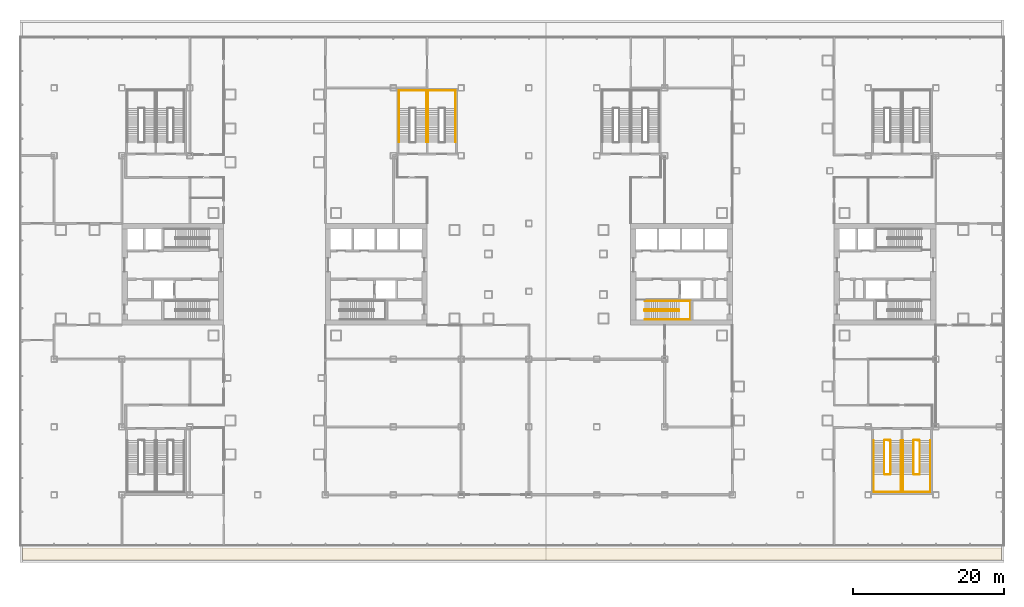
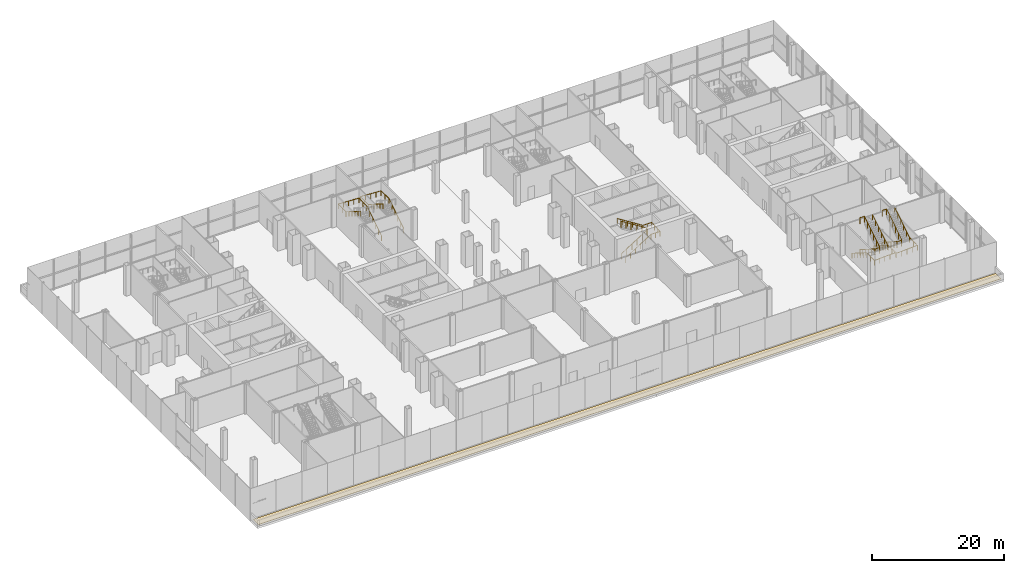
# One storey, part 36 of 38: 8 railings, 1 covering.
"""IFC4 building model written with IfcOpenShell, lengths in metres."""

from ifc_helpers import new_model, si_unit, direction, frame, origin, origin_2d, place, context, subcontext, project, spatial, polyline, circle, outline, extrude, material, layer, layer_set, type_object, element, save


model = new_model("IFC4")

# Units and contexts
model_context = context("Model", 3, precision=1e-05, world=origin(), true_north=direction((0.0, 1.0)))
body_context = subcontext(model_context, "Body", "Model", "MODEL_VIEW")
ifc_project = project(units=[si_unit("LENGTHUNIT", "METRE"), si_unit("AREAUNIT", "SQUARE_METRE"), si_unit("VOLUMEUNIT", "CUBIC_METRE"), si_unit("PLANEANGLEUNIT", "RADIAN"), si_unit("MASSUNIT", "GRAM", prefix="KILO")], contexts=[model_context])

# Site, building, storey
site_placement = place(None, origin())
site = spatial("IfcSite", under=ifc_project, at=site_placement, CompositionType="ELEMENT")
building_placement = place(site_placement, origin())
building = spatial("IfcBuilding", under=site, at=building_placement, Name="Shamsa Quay Exchange Towers", CompositionType="ELEMENT")
storey_placement = place(building_placement, frame((0.0, 0.0, 12.5)))
storey = spatial("IfcBuildingStorey", under=building, at=storey_placement, Name="L02", CompositionType="ELEMENT", Elevation=12.5)

# Covering
ifc_material_1 = material(Name="Bituminous waterproofing membrane with ballast")
ifc_layer = layer(ifc_material_1, 0.06005859375)
ifc_layer_set = layer_set([ifc_layer], Name="ROOF MEMBRANE 60")
covering_type = type_object("IfcCoveringType", Name="ROOF MEMBRANE 60", PredefinedType="ROOFING", material=ifc_layer_set)
covering_placement = place(storey_placement, origin())
element("IfcCovering", 1, at=covering_placement, inside=storey, type_object=covering_type, Name="Roof membrane 1.1", PredefinedType="ROOFING", context=body_context, shape_type="SweptSolid", body=[
    extrude(outline(polyline([(-67.179931640625, -36.320068359375), (62.679931640625, -36.320068359375), (62.679931640625, -37.929931640625), (-67.179931640625, -37.929931640625), (-67.179931640625, -36.320068359375)])), origin(), (0.0, 0.0, 1.0), 0.06005859375),
])

# Railings
ifc_material_2 = material(Name="Stainless steel", Category="steel")
railing_type_1 = type_object("IfcRailingType", Name="STAIR GUARD 1100", PredefinedType="GUARDRAIL", material=ifc_material_2)
railing_1_placement = place(storey_placement, frame((15.39990234375, -4.89990234375, 0.176513671875)))
element("IfcRailing", 2, at=railing_1_placement, inside=storey, type_object=railing_type_1, Name="L02 ST4 stair guard 1", PredefinedType="GUARDRAIL", context=body_context, shape_type="SweptSolid", body=[
    extrude(circle(Radius=0.02392578125, at=origin_2d()), frame((0.0, 0.0, 1.076171875), z_axis=(0.845997938375, 0.0, 0.533186166611), x_axis=(0.0, 1.0, 0.0)), (0.0, 0.0, 1.0), 5.29541015625),
    extrude(circle(Radius=0.02392578125, at=origin_2d()), frame((4.47998046875, 0.0, 3.8994140625), z_axis=(0.708833529934, 0.705375805398, 0.0), x_axis=(-0.705375805398, 0.708833529934, 0.0)), (0.0, 0.0, 1.0), 0.070556640625),
    extrude(circle(Radius=0.02392578125, at=origin_2d()), frame((4.530029296875, 0.0498046875, 3.8994140625), z_axis=(0.0, 1.0, 0.0), x_axis=(-1.0, 0.0, 0.0)), (0.0, 0.0, 1.0), 0.150146484375),
    extrude(circle(Radius=0.02392578125, at=origin_2d()), frame((4.530029296875, 0.199951171875, 3.8994140625), z_axis=(-0.263171338983, 0.263171338983, 0.928160380902), x_axis=(-0.707106781187, -0.707106781187, 0.0)), (0.0, 0.0, 1.0), 0.190185546875),
    extrude(circle(Radius=0.02392578125, at=origin_2d()), frame((4.47998046875, 0.25, 4.076171875), z_axis=(-0.845997938375, 0.0, 0.533186166611), x_axis=(0.0, -1.0, 0.0)), (0.0, 0.0, 1.0), 5.29541015625),
    extrude(circle(Radius=0.02392578125, at=origin_2d()), frame((0.0, 0.25, 6.8994140625), z_axis=(-0.24142163986, -0.970420317083, 0.0), x_axis=(0.970420317083, -0.24142163986, 0.0)), (0.0, 0.0, 1.0), 0.206298828125),
    extrude(circle(Radius=0.02392578125, at=origin_2d()), frame((-0.0498046875, 0.0498046875, 6.8994140625), z_axis=(0.0, 1.0, 0.0), x_axis=(-1.0, 0.0, 0.0)), (0.0, 0.0, 1.0), 0.150146484375),
    extrude(circle(Radius=0.02099609375, at=origin_2d()), origin(), (0.0, 0.0, 1.0), 1.052001953125),
    extrude(circle(Radius=0.02099609375, at=origin_2d()), frame((0.89599609375, 0.0, 0.564697265625)), (0.0, 0.0, 1.0), 1.052001953125),
    extrude(circle(Radius=0.02099609375, at=origin_2d()), frame((1.7919921875, 0.0, 1.12939453125)), (0.0, 0.0, 1.0), 1.052001953125),
    extrude(circle(Radius=0.02099609375, at=origin_2d()), frame((2.68798828125, 0.0, 1.694091796875)), (0.0, 0.0, 1.0), 1.052001953125),
    extrude(circle(Radius=0.02099609375, at=origin_2d()), frame((3.583984375, 0.0, 2.2587890625)), (0.0, 0.0, 1.0), 1.052001953125),
    extrude(circle(Radius=0.02099609375, at=origin_2d()), frame((4.47998046875, 0.0, 2.823486328125)), (0.0, 0.0, 1.0), 1.052001953125),
    extrude(circle(Radius=0.02099609375, at=origin_2d()), frame((4.530029296875, 0.0498046875, 2.823486328125)), (0.0, 0.0, 1.0), 1.052001953125),
    extrude(circle(Radius=0.02099609375, at=origin_2d()), frame((4.530029296875, 0.199951171875, 2.823486328125)), (0.0, 0.0, 1.0), 1.052001953125),
    extrude(circle(Radius=0.02099609375, at=origin_2d()), frame((4.47998046875, 0.25, 3.0)), (0.0, 0.0, 1.0), 1.052001953125),
    extrude(circle(Radius=0.02099609375, at=origin_2d()), frame((3.583984375, 0.25, 3.564697265625)), (0.0, 0.0, 1.0), 1.052001953125),
    extrude(circle(Radius=0.02099609375, at=origin_2d()), frame((2.68798828125, 0.25, 4.12939453125)), (0.0, 0.0, 1.0), 1.052001953125),
    extrude(circle(Radius=0.02099609375, at=origin_2d()), frame((1.7919921875, 0.25, 4.694091796875)), (0.0, 0.0, 1.0), 1.052001953125),
    extrude(circle(Radius=0.02099609375, at=origin_2d()), frame((0.89599609375, 0.25, 5.2587890625)), (0.0, 0.0, 1.0), 1.052001953125),
    extrude(circle(Radius=0.02099609375, at=origin_2d()), frame((0.0, 0.25, 5.823486328125)), (0.0, 0.0, 1.0), 1.052001953125),
    extrude(circle(Radius=0.02099609375, at=origin_2d()), frame((-0.0498046875, 0.0498046875, 5.823486328125)), (0.0, 0.0, 1.0), 1.052001953125),
    extrude(circle(Radius=0.02099609375, at=origin_2d()), frame((-0.0498046875, 0.199951171875, 5.823486328125)), (0.0, 0.0, 1.0), 1.052001953125),
])
railing_2_placement = place(storey_placement, frame((47.14990234375, -22.050048828125, 0.176513671875)))
element("IfcRailing", 3, at=railing_2_placement, inside=storey, type_object=railing_type_1, Name="L02 PS6A stair guard 1", PredefinedType="GUARDRAIL", context=body_context, shape_type="SweptSolid", body=[
    extrude(circle(Radius=0.02392578125, at=origin_2d()), frame((0.0, 0.0, 1.076171875), z_axis=(0.0, -0.845997938375, 0.533186166611), x_axis=(1.0, 0.0, 0.0)), (0.0, 0.0, 1.0), 5.29541015625),
    extrude(circle(Radius=0.02392578125, at=origin_2d()), frame((0.0, -4.47998046875, 3.8994140625), z_axis=(0.707106781187, -0.707106781187, 0.0), x_axis=(0.707106781187, 0.707106781187, 0.0)), (0.0, 0.0, 1.0), 0.07080078125),
    extrude(circle(Radius=0.02392578125, at=origin_2d()), frame((0.050048828125, -4.530029296875, 3.8994140625), z_axis=(1.0, 0.0, 0.0), x_axis=(0.0, 1.0, 0.0)), (0.0, 0.0, 1.0), 0.72509765625),
    extrude(circle(Radius=0.02392578125, at=origin_2d()), frame((0.775146484375, -4.530029296875, 3.8994140625), z_axis=(0.263171338983, 0.263171338983, 0.928160380902), x_axis=(-0.707106781187, 0.707106781187, 0.0)), (0.0, 0.0, 1.0), 0.190185546875),
    extrude(circle(Radius=0.02392578125, at=origin_2d()), frame((0.8251953125, -4.47998046875, 4.076171875), z_axis=(0.0, 0.845997938375, 0.533186166611), x_axis=(-1.0, 0.0, 0.0)), (0.0, 0.0, 1.0), 5.29541015625),
    extrude(circle(Radius=0.02392578125, at=origin_2d()), frame((0.8251953125, 0.0, 6.8994140625), z_axis=(-0.997922050633, 0.064432762324, 0.0), x_axis=(-0.064432762324, -0.997922050633, 0.0)), (0.0, 0.0, 1.0), 0.77685546875),
    extrude(circle(Radius=0.02392578125, at=origin_2d()), frame((0.050048828125, 0.050048828125, 6.8994140625), z_axis=(1.0, 0.0, 0.0), x_axis=(0.0, 1.0, 0.0)), (0.0, 0.0, 1.0), 0.72509765625),
    extrude(circle(Radius=0.02099609375, at=origin_2d()), origin(), (0.0, 0.0, 1.0), 1.052001953125),
    extrude(circle(Radius=0.02099609375, at=origin_2d()), frame((0.0, -0.89599609375, 0.564697265625)), (0.0, 0.0, 1.0), 1.052001953125),
    extrude(circle(Radius=0.02099609375, at=origin_2d()), frame((0.0, -1.7919921875, 1.12939453125)), (0.0, 0.0, 1.0), 1.052001953125),
    extrude(circle(Radius=0.02099609375, at=origin_2d()), frame((0.0, -2.68798828125, 1.694091796875)), (0.0, 0.0, 1.0), 1.052001953125),
    extrude(circle(Radius=0.02099609375, at=origin_2d()), frame((0.0, -3.583984375, 2.2587890625)), (0.0, 0.0, 1.0), 1.052001953125),
    extrude(circle(Radius=0.02099609375, at=origin_2d()), frame((0.0, -4.47998046875, 2.823486328125)), (0.0, 0.0, 1.0), 1.052001953125),
    extrude(circle(Radius=0.02099609375, at=origin_2d()), frame((0.050048828125, -4.530029296875, 2.823486328125)), (0.0, 0.0, 1.0), 1.052001953125),
    extrude(circle(Radius=0.02099609375, at=origin_2d()), frame((0.775146484375, -4.530029296875, 2.823486328125)), (0.0, 0.0, 1.0), 1.052001953125),
    extrude(circle(Radius=0.02099609375, at=origin_2d()), frame((0.8251953125, -4.47998046875, 3.0)), (0.0, 0.0, 1.0), 1.052001953125),
    extrude(circle(Radius=0.02099609375, at=origin_2d()), frame((0.8251953125, -3.583984375, 3.564697265625)), (0.0, 0.0, 1.0), 1.052001953125),
    extrude(circle(Radius=0.02099609375, at=origin_2d()), frame((0.8251953125, -2.68798828125, 4.12939453125)), (0.0, 0.0, 1.0), 1.052001953125),
    extrude(circle(Radius=0.02099609375, at=origin_2d()), frame((0.8251953125, -1.7919921875, 4.694091796875)), (0.0, 0.0, 1.0), 1.052001953125),
    extrude(circle(Radius=0.02099609375, at=origin_2d()), frame((0.8251953125, -0.89599609375, 5.2587890625)), (0.0, 0.0, 1.0), 1.052001953125),
    extrude(circle(Radius=0.02099609375, at=origin_2d()), frame((0.8251953125, 0.0, 5.823486328125)), (0.0, 0.0, 1.0), 1.052001953125),
    extrude(circle(Radius=0.02099609375, at=origin_2d()), frame((0.050048828125, 0.050048828125, 5.823486328125)), (0.0, 0.0, 1.0), 1.052001953125),
    extrude(circle(Radius=0.02099609375, at=origin_2d()), frame((0.775146484375, 0.050048828125, 5.823486328125)), (0.0, 0.0, 1.0), 1.052001953125),
])
railing_3_placement = place(storey_placement, frame((51.02490234375, -22.050048828125, 0.176513671875)))
element("IfcRailing", 4, at=railing_3_placement, inside=storey, type_object=railing_type_1, Name="L02 PS6B stair guard 1", PredefinedType="GUARDRAIL", context=body_context, shape_type="SweptSolid", body=[
    extrude(circle(Radius=0.02392578125, at=origin_2d()), frame((0.0, 0.0, 1.076171875), z_axis=(0.0, -0.845997938375, 0.533186166611), x_axis=(1.0, 0.0, 0.0)), (0.0, 0.0, 1.0), 5.29541015625),
    extrude(circle(Radius=0.02392578125, at=origin_2d()), frame((0.0, -4.47998046875, 3.8994140625), z_axis=(0.707106781187, -0.707106781187, 0.0), x_axis=(0.707106781187, 0.707106781187, 0.0)), (0.0, 0.0, 1.0), 0.07080078125),
    extrude(circle(Radius=0.02392578125, at=origin_2d()), frame((0.050048828125, -4.530029296875, 3.8994140625), z_axis=(1.0, 0.0, 0.0), x_axis=(0.0, 1.0, 0.0)), (0.0, 0.0, 1.0), 0.72509765625),
    extrude(circle(Radius=0.02392578125, at=origin_2d()), frame((0.775146484375, -4.530029296875, 3.8994140625), z_axis=(0.263171338983, 0.263171338983, 0.928160380902), x_axis=(-0.707106781187, 0.707106781187, 0.0)), (0.0, 0.0, 1.0), 0.190185546875),
    extrude(circle(Radius=0.02392578125, at=origin_2d()), frame((0.8251953125, -4.47998046875, 4.076171875), z_axis=(0.0, 0.845997938375, 0.533186166611), x_axis=(-1.0, 0.0, 0.0)), (0.0, 0.0, 1.0), 5.29541015625),
    extrude(circle(Radius=0.02392578125, at=origin_2d()), frame((0.8251953125, 0.0, 6.8994140625), z_axis=(-0.997922050633, 0.064432762324, 0.0), x_axis=(-0.064432762324, -0.997922050633, 0.0)), (0.0, 0.0, 1.0), 0.77685546875),
    extrude(circle(Radius=0.02392578125, at=origin_2d()), frame((0.050048828125, 0.050048828125, 6.8994140625), z_axis=(1.0, 0.0, 0.0), x_axis=(0.0, 1.0, 0.0)), (0.0, 0.0, 1.0), 0.72509765625),
    extrude(circle(Radius=0.02099609375, at=origin_2d()), origin(), (0.0, 0.0, 1.0), 1.052001953125),
    extrude(circle(Radius=0.02099609375, at=origin_2d()), frame((0.0, -0.89599609375, 0.564697265625)), (0.0, 0.0, 1.0), 1.052001953125),
    extrude(circle(Radius=0.02099609375, at=origin_2d()), frame((0.0, -1.7919921875, 1.12939453125)), (0.0, 0.0, 1.0), 1.052001953125),
    extrude(circle(Radius=0.02099609375, at=origin_2d()), frame((0.0, -2.68798828125, 1.694091796875)), (0.0, 0.0, 1.0), 1.052001953125),
    extrude(circle(Radius=0.02099609375, at=origin_2d()), frame((0.0, -3.583984375, 2.2587890625)), (0.0, 0.0, 1.0), 1.052001953125),
    extrude(circle(Radius=0.02099609375, at=origin_2d()), frame((0.0, -4.47998046875, 2.823486328125)), (0.0, 0.0, 1.0), 1.052001953125),
    extrude(circle(Radius=0.02099609375, at=origin_2d()), frame((0.050048828125, -4.530029296875, 2.823486328125)), (0.0, 0.0, 1.0), 1.052001953125),
    extrude(circle(Radius=0.02099609375, at=origin_2d()), frame((0.775146484375, -4.530029296875, 2.823486328125)), (0.0, 0.0, 1.0), 1.052001953125),
    extrude(circle(Radius=0.02099609375, at=origin_2d()), frame((0.8251953125, -4.47998046875, 3.0)), (0.0, 0.0, 1.0), 1.052001953125),
    extrude(circle(Radius=0.02099609375, at=origin_2d()), frame((0.8251953125, -3.583984375, 3.564697265625)), (0.0, 0.0, 1.0), 1.052001953125),
    extrude(circle(Radius=0.02099609375, at=origin_2d()), frame((0.8251953125, -2.68798828125, 4.12939453125)), (0.0, 0.0, 1.0), 1.052001953125),
    extrude(circle(Radius=0.02099609375, at=origin_2d()), frame((0.8251953125, -1.7919921875, 4.694091796875)), (0.0, 0.0, 1.0), 1.052001953125),
    extrude(circle(Radius=0.02099609375, at=origin_2d()), frame((0.8251953125, -0.89599609375, 5.2587890625)), (0.0, 0.0, 1.0), 1.052001953125),
    extrude(circle(Radius=0.02099609375, at=origin_2d()), frame((0.8251953125, 0.0, 5.823486328125)), (0.0, 0.0, 1.0), 1.052001953125),
    extrude(circle(Radius=0.02099609375, at=origin_2d()), frame((0.050048828125, 0.050048828125, 5.823486328125)), (0.0, 0.0, 1.0), 1.052001953125),
    extrude(circle(Radius=0.02099609375, at=origin_2d()), frame((0.775146484375, 0.050048828125, 5.823486328125)), (0.0, 0.0, 1.0), 1.052001953125),
])
railing_type_2 = type_object("IfcRailingType", Name="STAIR HANDRAIL 900", PredefinedType="HANDRAIL", material=ifc_material_2)
railing_4_placement = place(storey_placement, frame((15.39990234375, -6.0, 0.176513671875)))
element("IfcRailing", 5, at=railing_4_placement, inside=storey, type_object=railing_type_2, Name="L02 ST4 stair handrail 1", PredefinedType="HANDRAIL", context=body_context, shape_type="SweptSolid", body=[
    extrude(circle(Radius=0.02392578125, at=origin_2d()), frame((0.0, 0.0, 0.8759765625), z_axis=(0.845997938375, 0.0, 0.533186166611), x_axis=(0.0, 1.0, 0.0)), (0.0, 0.0, 1.0), 5.29541015625),
    extrude(circle(Radius=0.02392578125, at=origin_2d()), frame((4.47998046875, 0.0, 3.69921875), z_axis=(1.0, 0.0, 0.0), x_axis=(0.0, 1.0, 0.0)), (0.0, 0.0, 1.0), 1.570068359375),
    extrude(circle(Radius=0.02392578125, at=origin_2d()), frame((6.050048828125, 0.0, 3.69921875), z_axis=(0.0, 0.997414615901, 0.071861561265), x_axis=(-1.0, 0.0, 0.0)), (0.0, 0.0, 1.0), 2.456298828125),
    extrude(circle(Radius=0.02392578125, at=origin_2d()), frame((6.050048828125, 2.449951171875, 3.8759765625), z_axis=(-1.0, 0.0, 0.0), x_axis=(0.0, -1.0, 0.0)), (0.0, 0.0, 1.0), 1.570068359375),
    extrude(circle(Radius=0.02392578125, at=origin_2d()), frame((4.47998046875, 2.449951171875, 3.8759765625), z_axis=(-0.845997938375, 0.0, 0.533186166611), x_axis=(0.0, -1.0, 0.0)), (0.0, 0.0, 1.0), 5.29541015625),
    extrude(circle(Radius=0.02099609375, at=origin_2d()), origin(), (0.0, 0.0, 1.0), 0.851806640625),
    extrude(circle(Radius=0.02099609375, at=origin_2d()), frame((0.89599609375, 0.0, 0.564697265625)), (0.0, 0.0, 1.0), 0.851806640625),
    extrude(circle(Radius=0.02099609375, at=origin_2d()), frame((1.7919921875, 0.0, 1.12939453125)), (0.0, 0.0, 1.0), 0.851806640625),
    extrude(circle(Radius=0.02099609375, at=origin_2d()), frame((2.68798828125, 0.0, 1.694091796875)), (0.0, 0.0, 1.0), 0.851806640625),
    extrude(circle(Radius=0.02099609375, at=origin_2d()), frame((3.583984375, 0.0, 2.2587890625)), (0.0, 0.0, 1.0), 0.851806640625),
    extrude(circle(Radius=0.02099609375, at=origin_2d()), frame((4.47998046875, 0.0, 2.823486328125)), (0.0, 0.0, 1.0), 0.851806640625),
    extrude(circle(Radius=0.02099609375, at=origin_2d()), frame((5.26513671875, 0.0, 2.823486328125)), (0.0, 0.0, 1.0), 0.851806640625),
    extrude(circle(Radius=0.02099609375, at=origin_2d()), frame((6.050048828125, 0.0, 2.823486328125)), (0.0, 0.0, 1.0), 0.851806640625),
    extrude(circle(Radius=0.02099609375, at=origin_2d()), frame((6.050048828125, 0.816650390625, 2.88232421875)), (0.0, 0.0, 1.0), 0.851806640625),
    extrude(circle(Radius=0.02099609375, at=origin_2d()), frame((6.050048828125, 1.63330078125, 2.941162109375)), (0.0, 0.0, 1.0), 0.851806640625),
    extrude(circle(Radius=0.02099609375, at=origin_2d()), frame((6.050048828125, 2.449951171875, 3.0)), (0.0, 0.0, 1.0), 0.851806640625),
    extrude(circle(Radius=0.02099609375, at=origin_2d()), frame((5.26513671875, 2.449951171875, 3.0)), (0.0, 0.0, 1.0), 0.851806640625),
    extrude(circle(Radius=0.02099609375, at=origin_2d()), frame((4.47998046875, 2.449951171875, 3.0)), (0.0, 0.0, 1.0), 0.851806640625),
    extrude(circle(Radius=0.02099609375, at=origin_2d()), frame((3.583984375, 2.449951171875, 3.564697265625)), (0.0, 0.0, 1.0), 0.851806640625),
    extrude(circle(Radius=0.02099609375, at=origin_2d()), frame((2.68798828125, 2.449951171875, 4.12939453125)), (0.0, 0.0, 1.0), 0.851806640625),
    extrude(circle(Radius=0.02099609375, at=origin_2d()), frame((1.7919921875, 2.449951171875, 4.694091796875)), (0.0, 0.0, 1.0), 0.851806640625),
    extrude(circle(Radius=0.02099609375, at=origin_2d()), frame((0.89599609375, 2.449951171875, 5.2587890625)), (0.0, 0.0, 1.0), 0.851806640625),
    extrude(circle(Radius=0.02099609375, at=origin_2d()), frame((0.0, 2.449951171875, 5.823486328125)), (0.0, 0.0, 1.0), 0.851806640625),
])
railing_5_placement = place(storey_placement, frame((-13.625, 17.550048828125, 0.176513671875)))
element("IfcRailing", 6, at=railing_5_placement, inside=storey, type_object=railing_type_2, Name="L02 PS2A stair handrail 1", PredefinedType="HANDRAIL", context=body_context, shape_type="SweptSolid", body=[
    extrude(circle(Radius=0.02392578125, at=origin_2d()), frame((0.0, 0.0, 0.8759765625), z_axis=(0.0, 0.845997938375, 0.533186166611), x_axis=(-1.0, 0.0, 0.0)), (0.0, 0.0, 1.0), 5.29541015625),
    extrude(circle(Radius=0.02392578125, at=origin_2d()), frame((0.0, 4.47998046875, 3.69921875), z_axis=(0.0, 1.0, 0.0), x_axis=(-1.0, 0.0, 0.0)), (0.0, 0.0, 1.0), 2.369873046875),
    extrude(circle(Radius=0.02392578125, at=origin_2d()), frame((0.0, 6.849853515625, 3.69921875), z_axis=(-0.998816579144, 0.0, 0.048635801907), x_axis=(0.0, -1.0, 0.0)), (0.0, 0.0, 1.0), 3.62939453125),
    extrude(circle(Radius=0.02392578125, at=origin_2d()), frame((-3.625, 6.849853515625, 3.8759765625), z_axis=(0.0, -1.0, 0.0), x_axis=(1.0, 0.0, 0.0)), (0.0, 0.0, 1.0), 2.369873046875),
    extrude(circle(Radius=0.02392578125, at=origin_2d()), frame((-3.625, 4.47998046875, 3.8759765625), z_axis=(0.0, -0.845997938375, 0.533186166611), x_axis=(1.0, 0.0, 0.0)), (0.0, 0.0, 1.0), 5.29541015625),
    extrude(circle(Radius=0.02099609375, at=origin_2d()), origin(), (0.0, 0.0, 1.0), 0.851806640625),
    extrude(circle(Radius=0.02099609375, at=origin_2d()), frame((0.0, 0.89599609375, 0.564697265625)), (0.0, 0.0, 1.0), 0.851806640625),
    extrude(circle(Radius=0.02099609375, at=origin_2d()), frame((0.0, 1.7919921875, 1.12939453125)), (0.0, 0.0, 1.0), 0.851806640625),
    extrude(circle(Radius=0.02099609375, at=origin_2d()), frame((0.0, 2.68798828125, 1.694091796875)), (0.0, 0.0, 1.0), 0.851806640625),
    extrude(circle(Radius=0.02099609375, at=origin_2d()), frame((0.0, 3.583984375, 2.2587890625)), (0.0, 0.0, 1.0), 0.851806640625),
    extrude(circle(Radius=0.02099609375, at=origin_2d()), frame((0.0, 4.47998046875, 2.823486328125)), (0.0, 0.0, 1.0), 0.851806640625),
    extrude(circle(Radius=0.02099609375, at=origin_2d()), frame((0.0, 5.6650390625, 2.823486328125)), (0.0, 0.0, 1.0), 0.851806640625),
    extrude(circle(Radius=0.02099609375, at=origin_2d()), frame((0.0, 6.849853515625, 2.823486328125)), (0.0, 0.0, 1.0), 0.851806640625),
    extrude(circle(Radius=0.02099609375, at=origin_2d()), frame((-0.90625, 6.849853515625, 2.86767578125)), (0.0, 0.0, 1.0), 0.851806640625),
    extrude(circle(Radius=0.02099609375, at=origin_2d()), frame((-1.8125, 6.849853515625, 2.91162109375)), (0.0, 0.0, 1.0), 0.851806640625),
    extrude(circle(Radius=0.02099609375, at=origin_2d()), frame((-2.71875, 6.849853515625, 2.955810546875)), (0.0, 0.0, 1.0), 0.851806640625),
    extrude(circle(Radius=0.02099609375, at=origin_2d()), frame((-3.625, 6.849853515625, 3.0)), (0.0, 0.0, 1.0), 0.851806640625),
    extrude(circle(Radius=0.02099609375, at=origin_2d()), frame((-3.625, 5.6650390625, 3.0)), (0.0, 0.0, 1.0), 0.851806640625),
    extrude(circle(Radius=0.02099609375, at=origin_2d()), frame((-3.625, 4.47998046875, 3.0)), (0.0, 0.0, 1.0), 0.851806640625),
    extrude(circle(Radius=0.02099609375, at=origin_2d()), frame((-3.625, 3.583984375, 3.564697265625)), (0.0, 0.0, 1.0), 0.851806640625),
    extrude(circle(Radius=0.02099609375, at=origin_2d()), frame((-3.625, 2.68798828125, 4.12939453125)), (0.0, 0.0, 1.0), 0.851806640625),
    extrude(circle(Radius=0.02099609375, at=origin_2d()), frame((-3.625, 1.7919921875, 4.694091796875)), (0.0, 0.0, 1.0), 0.851806640625),
    extrude(circle(Radius=0.02099609375, at=origin_2d()), frame((-3.625, 0.89599609375, 5.2587890625)), (0.0, 0.0, 1.0), 0.851806640625),
    extrude(circle(Radius=0.02099609375, at=origin_2d()), frame((-3.625, 0.0, 5.823486328125)), (0.0, 0.0, 1.0), 0.851806640625),
])
railing_6_placement = place(storey_placement, frame((-9.75, 17.550048828125, 0.176513671875)))
element("IfcRailing", 7, at=railing_6_placement, inside=storey, type_object=railing_type_2, Name="L02 PS2B stair handrail 1", PredefinedType="HANDRAIL", context=body_context, shape_type="SweptSolid", body=[
    extrude(circle(Radius=0.02392578125, at=origin_2d()), frame((0.0, 0.0, 0.8759765625), z_axis=(0.0, 0.845997938375, 0.533186166611), x_axis=(-1.0, 0.0, 0.0)), (0.0, 0.0, 1.0), 5.29541015625),
    extrude(circle(Radius=0.02392578125, at=origin_2d()), frame((0.0, 4.47998046875, 3.69921875), z_axis=(0.0, 1.0, 0.0), x_axis=(-1.0, 0.0, 0.0)), (0.0, 0.0, 1.0), 2.369873046875),
    extrude(circle(Radius=0.02392578125, at=origin_2d()), frame((0.0, 6.849853515625, 3.69921875), z_axis=(-0.998816579144, 0.0, 0.048635801907), x_axis=(0.0, -1.0, 0.0)), (0.0, 0.0, 1.0), 3.62939453125),
    extrude(circle(Radius=0.02392578125, at=origin_2d()), frame((-3.625, 6.849853515625, 3.8759765625), z_axis=(0.0, -1.0, 0.0), x_axis=(1.0, 0.0, 0.0)), (0.0, 0.0, 1.0), 2.369873046875),
    extrude(circle(Radius=0.02392578125, at=origin_2d()), frame((-3.625, 4.47998046875, 3.8759765625), z_axis=(0.0, -0.845997938375, 0.533186166611), x_axis=(1.0, 0.0, 0.0)), (0.0, 0.0, 1.0), 5.29541015625),
    extrude(circle(Radius=0.02099609375, at=origin_2d()), origin(), (0.0, 0.0, 1.0), 0.851806640625),
    extrude(circle(Radius=0.02099609375, at=origin_2d()), frame((0.0, 0.89599609375, 0.564697265625)), (0.0, 0.0, 1.0), 0.851806640625),
    extrude(circle(Radius=0.02099609375, at=origin_2d()), frame((0.0, 1.7919921875, 1.12939453125)), (0.0, 0.0, 1.0), 0.851806640625),
    extrude(circle(Radius=0.02099609375, at=origin_2d()), frame((0.0, 2.68798828125, 1.694091796875)), (0.0, 0.0, 1.0), 0.851806640625),
    extrude(circle(Radius=0.02099609375, at=origin_2d()), frame((0.0, 3.583984375, 2.2587890625)), (0.0, 0.0, 1.0), 0.851806640625),
    extrude(circle(Radius=0.02099609375, at=origin_2d()), frame((0.0, 4.47998046875, 2.823486328125)), (0.0, 0.0, 1.0), 0.851806640625),
    extrude(circle(Radius=0.02099609375, at=origin_2d()), frame((0.0, 5.6650390625, 2.823486328125)), (0.0, 0.0, 1.0), 0.851806640625),
    extrude(circle(Radius=0.02099609375, at=origin_2d()), frame((0.0, 6.849853515625, 2.823486328125)), (0.0, 0.0, 1.0), 0.851806640625),
    extrude(circle(Radius=0.02099609375, at=origin_2d()), frame((-0.90625, 6.849853515625, 2.86767578125)), (0.0, 0.0, 1.0), 0.851806640625),
    extrude(circle(Radius=0.02099609375, at=origin_2d()), frame((-1.8125, 6.849853515625, 2.91162109375)), (0.0, 0.0, 1.0), 0.851806640625),
    extrude(circle(Radius=0.02099609375, at=origin_2d()), frame((-2.71875, 6.849853515625, 2.955810546875)), (0.0, 0.0, 1.0), 0.851806640625),
    extrude(circle(Radius=0.02099609375, at=origin_2d()), frame((-3.625, 6.849853515625, 3.0)), (0.0, 0.0, 1.0), 0.851806640625),
    extrude(circle(Radius=0.02099609375, at=origin_2d()), frame((-3.625, 5.6650390625, 3.0)), (0.0, 0.0, 1.0), 0.851806640625),
    extrude(circle(Radius=0.02099609375, at=origin_2d()), frame((-3.625, 4.47998046875, 3.0)), (0.0, 0.0, 1.0), 0.851806640625),
    extrude(circle(Radius=0.02099609375, at=origin_2d()), frame((-3.625, 3.583984375, 3.564697265625)), (0.0, 0.0, 1.0), 0.851806640625),
    extrude(circle(Radius=0.02099609375, at=origin_2d()), frame((-3.625, 2.68798828125, 4.12939453125)), (0.0, 0.0, 1.0), 0.851806640625),
    extrude(circle(Radius=0.02099609375, at=origin_2d()), frame((-3.625, 1.7919921875, 4.694091796875)), (0.0, 0.0, 1.0), 0.851806640625),
    extrude(circle(Radius=0.02099609375, at=origin_2d()), frame((-3.625, 0.89599609375, 5.2587890625)), (0.0, 0.0, 1.0), 0.851806640625),
    extrude(circle(Radius=0.02099609375, at=origin_2d()), frame((-3.625, 0.0, 5.823486328125)), (0.0, 0.0, 1.0), 0.851806640625),
])
railing_7_placement = place(storey_placement, frame((45.75, -22.050048828125, 0.176513671875)))
element("IfcRailing", 8, at=railing_7_placement, inside=storey, type_object=railing_type_2, Name="L02 PS6A stair handrail 1", PredefinedType="HANDRAIL", context=body_context, shape_type="SweptSolid", body=[
    extrude(circle(Radius=0.02392578125, at=origin_2d()), frame((0.0, 0.0, 0.8759765625), z_axis=(0.0, -0.845997938375, 0.533186166611), x_axis=(1.0, 0.0, 0.0)), (0.0, 0.0, 1.0), 5.29541015625),
    extrude(circle(Radius=0.02392578125, at=origin_2d()), frame((0.0, -4.47998046875, 3.69921875), z_axis=(0.0, -1.0, 0.0), x_axis=(1.0, 0.0, 0.0)), (0.0, 0.0, 1.0), 2.369873046875),
    extrude(circle(Radius=0.02392578125, at=origin_2d()), frame((0.0, -6.849853515625, 3.69921875), z_axis=(0.998816579144, 0.0, 0.048635801907), x_axis=(0.0, 1.0, 0.0)), (0.0, 0.0, 1.0), 3.62939453125),
    extrude(circle(Radius=0.02392578125, at=origin_2d()), frame((3.625, -6.849853515625, 3.8759765625), z_axis=(0.0, 1.0, 0.0), x_axis=(-1.0, 0.0, 0.0)), (0.0, 0.0, 1.0), 2.369873046875),
    extrude(circle(Radius=0.02392578125, at=origin_2d()), frame((3.625, -4.47998046875, 3.8759765625), z_axis=(0.0, 0.845997938375, 0.533186166611), x_axis=(-1.0, 0.0, 0.0)), (0.0, 0.0, 1.0), 5.29541015625),
    extrude(circle(Radius=0.02099609375, at=origin_2d()), origin(), (0.0, 0.0, 1.0), 0.851806640625),
    extrude(circle(Radius=0.02099609375, at=origin_2d()), frame((0.0, -0.89599609375, 0.564697265625)), (0.0, 0.0, 1.0), 0.851806640625),
    extrude(circle(Radius=0.02099609375, at=origin_2d()), frame((0.0, -1.7919921875, 1.12939453125)), (0.0, 0.0, 1.0), 0.851806640625),
    extrude(circle(Radius=0.02099609375, at=origin_2d()), frame((0.0, -2.68798828125, 1.694091796875)), (0.0, 0.0, 1.0), 0.851806640625),
    extrude(circle(Radius=0.02099609375, at=origin_2d()), frame((0.0, -3.583984375, 2.2587890625)), (0.0, 0.0, 1.0), 0.851806640625),
    extrude(circle(Radius=0.02099609375, at=origin_2d()), frame((0.0, -4.47998046875, 2.823486328125)), (0.0, 0.0, 1.0), 0.851806640625),
    extrude(circle(Radius=0.02099609375, at=origin_2d()), frame((0.0, -5.6650390625, 2.823486328125)), (0.0, 0.0, 1.0), 0.851806640625),
    extrude(circle(Radius=0.02099609375, at=origin_2d()), frame((0.0, -6.849853515625, 2.823486328125)), (0.0, 0.0, 1.0), 0.851806640625),
    extrude(circle(Radius=0.02099609375, at=origin_2d()), frame((0.90625, -6.849853515625, 2.86767578125)), (0.0, 0.0, 1.0), 0.851806640625),
    extrude(circle(Radius=0.02099609375, at=origin_2d()), frame((1.8125, -6.849853515625, 2.91162109375)), (0.0, 0.0, 1.0), 0.851806640625),
    extrude(circle(Radius=0.02099609375, at=origin_2d()), frame((2.71875, -6.849853515625, 2.955810546875)), (0.0, 0.0, 1.0), 0.851806640625),
    extrude(circle(Radius=0.02099609375, at=origin_2d()), frame((3.625, -6.849853515625, 3.0)), (0.0, 0.0, 1.0), 0.851806640625),
    extrude(circle(Radius=0.02099609375, at=origin_2d()), frame((3.625, -5.6650390625, 3.0)), (0.0, 0.0, 1.0), 0.851806640625),
    extrude(circle(Radius=0.02099609375, at=origin_2d()), frame((3.625, -4.47998046875, 3.0)), (0.0, 0.0, 1.0), 0.851806640625),
    extrude(circle(Radius=0.02099609375, at=origin_2d()), frame((3.625, -3.583984375, 3.564697265625)), (0.0, 0.0, 1.0), 0.851806640625),
    extrude(circle(Radius=0.02099609375, at=origin_2d()), frame((3.625, -2.68798828125, 4.12939453125)), (0.0, 0.0, 1.0), 0.851806640625),
    extrude(circle(Radius=0.02099609375, at=origin_2d()), frame((3.625, -1.7919921875, 4.694091796875)), (0.0, 0.0, 1.0), 0.851806640625),
    extrude(circle(Radius=0.02099609375, at=origin_2d()), frame((3.625, -0.89599609375, 5.2587890625)), (0.0, 0.0, 1.0), 0.851806640625),
    extrude(circle(Radius=0.02099609375, at=origin_2d()), frame((3.625, 0.0, 5.823486328125)), (0.0, 0.0, 1.0), 0.851806640625),
])
railing_8_placement = place(storey_placement, frame((49.625, -22.050048828125, 0.176513671875)))
element("IfcRailing", 9, at=railing_8_placement, inside=storey, type_object=railing_type_2, Name="L02 PS6B stair handrail 1", PredefinedType="HANDRAIL", context=body_context, shape_type="SweptSolid", body=[
    extrude(circle(Radius=0.02392578125, at=origin_2d()), frame((0.0, 0.0, 0.8759765625), z_axis=(0.0, -0.845997938375, 0.533186166611), x_axis=(1.0, 0.0, 0.0)), (0.0, 0.0, 1.0), 5.29541015625),
    extrude(circle(Radius=0.02392578125, at=origin_2d()), frame((0.0, -4.47998046875, 3.69921875), z_axis=(0.0, -1.0, 0.0), x_axis=(1.0, 0.0, 0.0)), (0.0, 0.0, 1.0), 2.369873046875),
    extrude(circle(Radius=0.02392578125, at=origin_2d()), frame((0.0, -6.849853515625, 3.69921875), z_axis=(0.998816579144, 0.0, 0.048635801907), x_axis=(0.0, 1.0, 0.0)), (0.0, 0.0, 1.0), 3.62939453125),
    extrude(circle(Radius=0.02392578125, at=origin_2d()), frame((3.625, -6.849853515625, 3.8759765625), z_axis=(0.0, 1.0, 0.0), x_axis=(-1.0, 0.0, 0.0)), (0.0, 0.0, 1.0), 2.369873046875),
    extrude(circle(Radius=0.02392578125, at=origin_2d()), frame((3.625, -4.47998046875, 3.8759765625), z_axis=(0.0, 0.845997938375, 0.533186166611), x_axis=(-1.0, 0.0, 0.0)), (0.0, 0.0, 1.0), 5.29541015625),
    extrude(circle(Radius=0.02099609375, at=origin_2d()), origin(), (0.0, 0.0, 1.0), 0.851806640625),
    extrude(circle(Radius=0.02099609375, at=origin_2d()), frame((0.0, -0.89599609375, 0.564697265625)), (0.0, 0.0, 1.0), 0.851806640625),
    extrude(circle(Radius=0.02099609375, at=origin_2d()), frame((0.0, -1.7919921875, 1.12939453125)), (0.0, 0.0, 1.0), 0.851806640625),
    extrude(circle(Radius=0.02099609375, at=origin_2d()), frame((0.0, -2.68798828125, 1.694091796875)), (0.0, 0.0, 1.0), 0.851806640625),
    extrude(circle(Radius=0.02099609375, at=origin_2d()), frame((0.0, -3.583984375, 2.2587890625)), (0.0, 0.0, 1.0), 0.851806640625),
    extrude(circle(Radius=0.02099609375, at=origin_2d()), frame((0.0, -4.47998046875, 2.823486328125)), (0.0, 0.0, 1.0), 0.851806640625),
    extrude(circle(Radius=0.02099609375, at=origin_2d()), frame((0.0, -5.6650390625, 2.823486328125)), (0.0, 0.0, 1.0), 0.851806640625),
    extrude(circle(Radius=0.02099609375, at=origin_2d()), frame((0.0, -6.849853515625, 2.823486328125)), (0.0, 0.0, 1.0), 0.851806640625),
    extrude(circle(Radius=0.02099609375, at=origin_2d()), frame((0.90625, -6.849853515625, 2.86767578125)), (0.0, 0.0, 1.0), 0.851806640625),
    extrude(circle(Radius=0.02099609375, at=origin_2d()), frame((1.8125, -6.849853515625, 2.91162109375)), (0.0, 0.0, 1.0), 0.851806640625),
    extrude(circle(Radius=0.02099609375, at=origin_2d()), frame((2.71875, -6.849853515625, 2.955810546875)), (0.0, 0.0, 1.0), 0.851806640625),
    extrude(circle(Radius=0.02099609375, at=origin_2d()), frame((3.625, -6.849853515625, 3.0)), (0.0, 0.0, 1.0), 0.851806640625),
    extrude(circle(Radius=0.02099609375, at=origin_2d()), frame((3.625, -5.6650390625, 3.0)), (0.0, 0.0, 1.0), 0.851806640625),
    extrude(circle(Radius=0.02099609375, at=origin_2d()), frame((3.625, -4.47998046875, 3.0)), (0.0, 0.0, 1.0), 0.851806640625),
    extrude(circle(Radius=0.02099609375, at=origin_2d()), frame((3.625, -3.583984375, 3.564697265625)), (0.0, 0.0, 1.0), 0.851806640625),
    extrude(circle(Radius=0.02099609375, at=origin_2d()), frame((3.625, -2.68798828125, 4.12939453125)), (0.0, 0.0, 1.0), 0.851806640625),
    extrude(circle(Radius=0.02099609375, at=origin_2d()), frame((3.625, -1.7919921875, 4.694091796875)), (0.0, 0.0, 1.0), 0.851806640625),
    extrude(circle(Radius=0.02099609375, at=origin_2d()), frame((3.625, -0.89599609375, 5.2587890625)), (0.0, 0.0, 1.0), 0.851806640625),
    extrude(circle(Radius=0.02099609375, at=origin_2d()), frame((3.625, 0.0, 5.823486328125)), (0.0, 0.0, 1.0), 0.851806640625),
])

save(model, "model.ifc")
